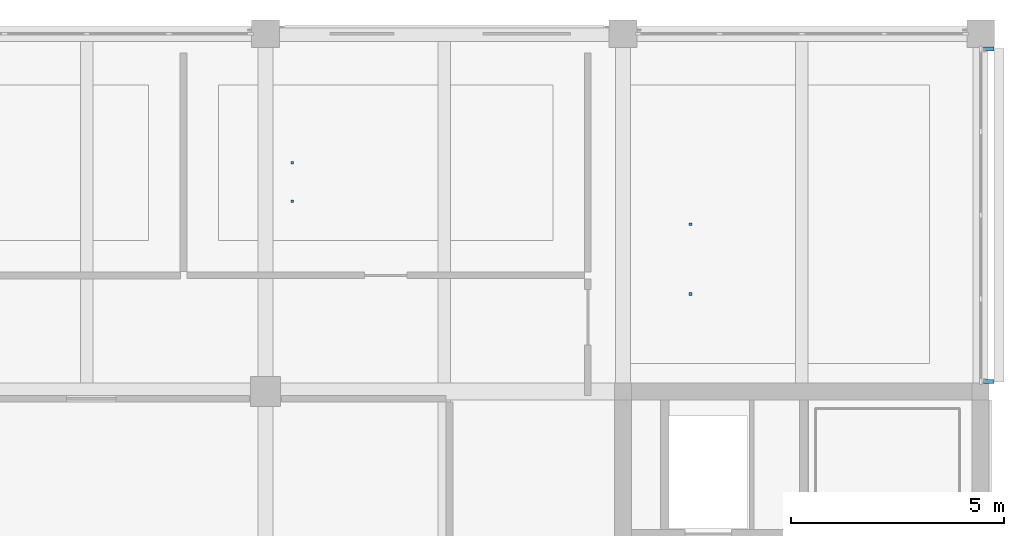
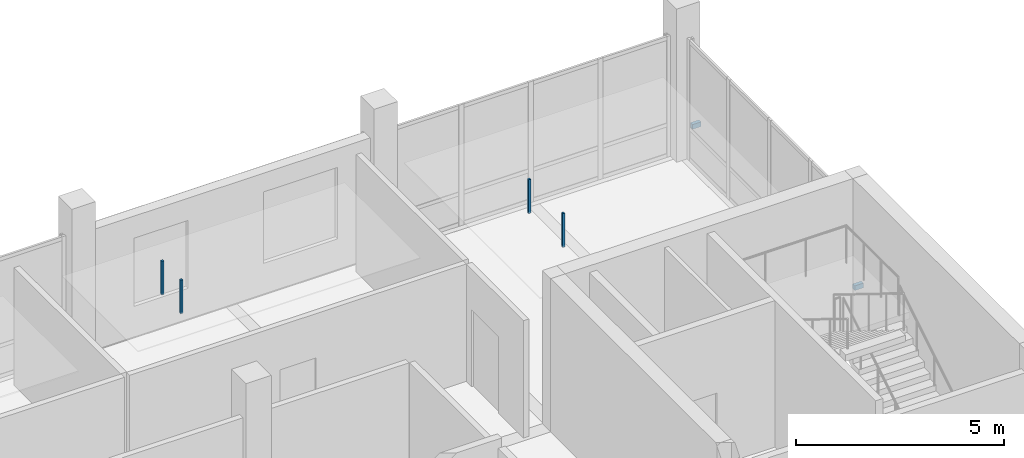
# One storey, part 15 of 28: 6 discrete accessories.
"""IFC4 building model written with IfcOpenShell, lengths in metres."""

import ifcopenshell
import ifcopenshell.guid

model = None  # the IFC model being written
_history = None  # IfcOwnerHistory: only IFC2X3 demands one
_inside = {}  # id of a spatial element -> (the spatial element, [elements in it])
_under = {}  # id of a project, library or spatial element -> (it, [spatial elements below it])
_declared = {}  # id of a project -> (the project, [libraries it declares])
_typed = {}  # id of a type object -> (the type object, [elements of that type])
_made_of = {}  # id of a material, layer set ... -> (it, [elements and type objects made of it])


def new_model(schema):
    """Start an empty IFC model of exactly this schema.

    Asked for "IFC4X3", IfcOpenShell would pick the latest addendum, in which some entities
    have other attributes; the version numbers below select the first issue.
    IFC2X3 requires an IfcOwnerHistory on every rooted entity: one is made here for all.
    """
    global model, _history
    if schema == "IFC4X3":
        model = ifcopenshell.file(schema_version=(4, 3, 0, 0))
    else:
        model = ifcopenshell.file(schema=schema)
    _inside.clear()
    _under.clear()
    _declared.clear()
    _typed.clear()
    _made_of.clear()
    _history = None
    if model.schema == "IFC2X3":
        org = make("IfcOrganization", Name="unknown")
        user = make(
            "IfcPersonAndOrganization",
            ThePerson=make("IfcPerson", FamilyName="unknown"),
            TheOrganization=org,
        )
        app = make(
            "IfcApplication",
            ApplicationDeveloper=org,
            Version="unknown",
            ApplicationFullName="unknown",
            ApplicationIdentifier="unknown",
        )
        _history = make(
            "IfcOwnerHistory",
            OwningUser=user,
            OwningApplication=app,
            ChangeAction="ADDED",
            CreationDate=0,
        )
    return model


def make(cls, **values):
    """One entity of the class cls with the attributes given. An attribute that is None is left unset."""
    return model.create_entity(
        cls, **{name: value for name, value in values.items() if value is not None}
    )


def rooted(cls, **values):
    """An entity with a GlobalId (a new one), such as an element, a storey or a relation."""
    return make(cls, GlobalId=ifcopenshell.guid.new(), OwnerHistory=_history, **values)


def si_unit(unit_type, name, prefix=None):
    """IfcSIUnit, for example si_unit("LENGTHUNIT", "METRE", prefix="MILLI")."""
    return make("IfcSIUnit", UnitType=unit_type, Prefix=prefix, Name=name)


def assignment(units):
    """IfcUnitAssignment: the units of a project."""
    return None if units is None else make("IfcUnitAssignment", Units=units)


def point(xyz):
    """IfcCartesianPoint."""
    return None if xyz is None else make("IfcCartesianPoint", Coordinates=xyz)


def direction(xyz):
    """IfcDirection."""
    return None if xyz is None else make("IfcDirection", DirectionRatios=xyz)


def frame(location, z_axis=None, x_axis=None):
    """IfcAxis2Placement3D, a coordinate frame: its origin and axes. An axis left out is left unset."""
    return make(
        "IfcAxis2Placement3D",
        Location=point(location),
        Axis=direction(z_axis),
        RefDirection=direction(x_axis),
    )


def frame_2d(location, x_axis=None):
    """IfcAxis2Placement2D, a coordinate frame in the plane: its origin and x axis."""
    return make(
        "IfcAxis2Placement2D", Location=point(location), RefDirection=direction(x_axis)
    )


def origin():
    """The frame at (0, 0, 0) with its axes left unset."""
    return frame((0.0, 0.0, 0.0))


def origin_2d():
    """The frame at (0, 0) in the plane with its x axis left unset."""
    return frame_2d((0.0, 0.0))


def place(relative_to, where):
    """IfcLocalPlacement: puts the frame where relative to a parent placement (None: the world)."""
    return make(
        "IfcLocalPlacement", PlacementRelTo=relative_to, RelativePlacement=where
    )


def context(
    kind, dimensions, precision=None, world=None, true_north=None, identifier=None
):
    """IfcGeometricRepresentationContext, for example the 3D "Model" context."""
    return make(
        "IfcGeometricRepresentationContext",
        ContextIdentifier=identifier,
        ContextType=kind,
        CoordinateSpaceDimension=dimensions,
        Precision=precision,
        WorldCoordinateSystem=world,
        TrueNorth=true_north,
    )


def subcontext(parent, identifier, kind, view, scale=None):
    """IfcGeometricRepresentationSubContext, for example "Body" below "Model"."""
    return make(
        "IfcGeometricRepresentationSubContext",
        ContextIdentifier=identifier,
        ContextType=kind,
        ParentContext=parent,
        TargetScale=scale,
        TargetView=view,
    )


def project(units=None, contexts=None):
    """IfcProject with its units and contexts."""
    return rooted(
        "IfcProject",
        Name="project",
        RepresentationContexts=contexts,
        UnitsInContext=assignment(units),
    )


def spatial(cls, under=None, at=None, **own):
    """A site, building, storey or space (cls), placed at a placement, below another one or the project."""
    s = rooted(cls, ObjectPlacement=at, **own)
    if under is not None:
        _under.setdefault(under.id(), (under, []))[1].append(s)
    return s


def profile(cls, at=None, kind="AREA", **sizes):
    """A parametric profile (cls). Its sizes go by their IFC names, for example OverallWidth=200.0."""
    return make(cls, ProfileType=kind, Position=at, **sizes)


def rectangle(**sizes):
    """IfcRectangleProfileDef."""
    return profile("IfcRectangleProfileDef", **sizes)


def extrude(swept, where, along, depth):
    """IfcExtrudedAreaSolid: the profile swept, set in the frame where, extruded along a direction by depth."""
    return make(
        "IfcExtrudedAreaSolid",
        SweptArea=swept,
        Position=where,
        ExtrudedDirection=direction(along),
        Depth=depth,
    )


def shape(context_of_items, identifier, shape_type, items):
    """IfcShapeRepresentation: the items that make up one representation, for example the "Body"."""
    return make(
        "IfcShapeRepresentation",
        ContextOfItems=context_of_items,
        RepresentationIdentifier=identifier,
        RepresentationType=shape_type,
        Items=items,
    )


def material(Name=None, Category=None):
    """IfcMaterial."""
    return make("IfcMaterial", Name=Name, Category=Category)


def made_of(thing, what):
    """Note that an element or type object is made of a material, layer set ...; save() writes the relation."""
    if what is not None:
        _made_of.setdefault(what.id(), (what, []))[1].append(thing)
    return thing


def type_object(cls, material=None, **own):
    """A type object (cls), such as IfcWallType, which elements share."""
    return made_of(rooted(cls, **own), material)


def element(
    cls,
    number,
    at=None,
    inside=None,
    cuts=None,
    type_object=None,
    material=None,
    context=None,
    identifier="Body",
    shape_type=None,
    held_by="IfcProductDefinitionShape",
    body=None,
    shapes=None,
    **own,
):
    """One element of the class cls, such as IfcWall. Its Tag is "e" and its number.

    at: its placement. inside: the storey or other place that contains it. cuts: it is an
    opening in that element (IfcRelVoidsElement). A single representation is given by context,
    identifier, shape_type and body (its items); several are given by shapes. held_by: the class
    of the entity that holds the representations. save() writes the other relations.
    """
    e = rooted(cls, Tag="e%d" % number, ObjectPlacement=at, **own)
    if body is not None:
        shapes = [shape(context, identifier, shape_type, body)]
    if shapes is not None:
        e.Representation = make(held_by, Representations=shapes)
    if inside is not None:
        _inside.setdefault(inside.id(), (inside, []))[1].append(e)
    if cuts is not None:
        rooted(
            "IfcRelVoidsElement", RelatingBuildingElement=cuts, RelatedOpeningElement=e
        )
    if type_object is not None:
        _typed.setdefault(type_object.id(), (type_object, []))[1].append(e)
    return made_of(e, material)


def aggregate(whole, parts):
    """IfcRelAggregates: a whole, such as a stair, and the parts it consists of."""
    return rooted("IfcRelAggregates", RelatingObject=whole, RelatedObjects=parts)


def save(model, path):
    """Write the relations noted so far, then the file.

    IfcRelAggregates (storeys below a building ...), IfcRelContainedInSpatialStructure (elements
    in a storey), IfcRelDefinesByType, IfcRelAssociatesMaterial and IfcRelDeclares: one each for
    every whole, place, type object, material and project.
    """
    for whole, parts in _under.values():
        aggregate(whole, parts)
    for where, things in _inside.values():
        rooted(
            "IfcRelContainedInSpatialStructure",
            RelatedElements=things,
            RelatingStructure=where,
        )
    for kind, things in _typed.values():
        rooted("IfcRelDefinesByType", RelatedObjects=things, RelatingType=kind)
    for what, things in _made_of.values():
        rooted("IfcRelAssociatesMaterial", RelatedObjects=things, RelatingMaterial=what)
    for by, libraries in _declared.values():
        rooted("IfcRelDeclares", RelatingContext=by, RelatedDefinitions=libraries)
    model.write(path)


model = new_model("IFC4")

# Units and contexts
model_context = context("Model", 3, precision=1e-05, world=origin(), true_north=direction((0.0, 1.0)))
body_context = subcontext(model_context, "Body", "Model", "MODEL_VIEW")
ifc_project = project(units=[si_unit("LENGTHUNIT", "METRE"), si_unit("AREAUNIT", "SQUARE_METRE"), si_unit("VOLUMEUNIT", "CUBIC_METRE"), si_unit("PLANEANGLEUNIT", "RADIAN"), si_unit("MASSUNIT", "GRAM", prefix="KILO")], contexts=[model_context])

# Site, building, storey
site_placement = place(None, origin())
site = spatial("IfcSite", under=ifc_project, at=site_placement, CompositionType="ELEMENT")
building_placement = place(site_placement, origin())
building = spatial("IfcBuilding", under=site, at=building_placement, Name="Telukmera Botanical Conservatory", CompositionType="ELEMENT")
storey_placement = place(building_placement, frame((0.0, 0.0, 51.0)))
storey = spatial("IfcBuildingStorey", under=building, at=storey_placement, Name="L11", CompositionType="ELEMENT", Elevation=51.0)

# Discrete accessories
ifc_material = material(Name="Steel S355", Category="steel")
discrete_accessory_type_1 = type_object("IfcDiscreteAccessoryType", Name="ACC-CEIL-HGR", PredefinedType="BRACKET", material=ifc_material)
for number, where, z_axis, x_axis, name in (
    (1, (84.626953125, 38.862548828125, 3.31982421875), (0.0, 0.0, 1.0), (1.0, 0.0, 0.0), "L11 Suspended Ceiling Hanger Rod 027-1"),
    (2, (84.626953125, 39.77490234375, 3.31982421875), (0.0, 0.0, 1.0), (1.0, 0.0, 0.0), "L11 Suspended Ceiling Hanger Rod 027-2"),
):
    element("IfcDiscreteAccessory", number, at=place(storey_placement, frame(where, z_axis=z_axis, x_axis=x_axis)), inside=storey, type_object=discrete_accessory_type_1, Name=name, PredefinedType="BRACKET", context=body_context, shape_type="SweptSolid", body=[
        extrude(rectangle(XDim=0.06005859375, YDim=0.06005859375, at=origin_2d()), origin(), (0.0, 0.0, 1.0), 0.985107421875),
    ])
for number, where, z_axis, x_axis, name in (
    (3, (93.98388671875, 36.6875, 3.31005859375), (0.0, 0.0, 1.0), (1.0, 0.0, 0.0), "L11 Suspended Ceiling Hanger Rod 028-1"),
    (4, (93.98388671875, 38.324951171875, 3.31005859375), (0.0, 0.0, 1.0), (1.0, 0.0, 0.0), "L11 Suspended Ceiling Hanger Rod 028-2"),
):
    element("IfcDiscreteAccessory", number, at=place(storey_placement, frame(where, z_axis=z_axis, x_axis=x_axis)), inside=storey, type_object=discrete_accessory_type_1, Name=name, PredefinedType="BRACKET", context=body_context, shape_type="SweptSolid", body=[
        extrude(rectangle(XDim=0.06005859375, YDim=0.06005859375, at=origin_2d()), origin(), (0.0, 0.0, 1.0), 0.9951171875),
    ])
discrete_accessory_type_2 = type_object("IfcDiscreteAccessoryType", Name="Structural Steel Facade Outrigger Fin Bracket", PredefinedType="BRACKET", material=ifc_material)
for number, where, z_axis, x_axis, name in (
    (5, (100.989990234375, 34.632080078125, 0.8798828125), (0.0, 0.0, 1.0), (0.0, 1.0, 0.0), "Facade Outrigger Bracket V4:L11:E4 A"),
    (6, (100.989990234375, 42.443115234375, 0.8798828125), (0.0, 0.0, 1.0), (0.0, 1.0, 0.0), "Facade Outrigger Bracket V4:L11:E4 B"),
):
    element("IfcDiscreteAccessory", number, at=place(storey_placement, frame(where, z_axis=z_axis, x_axis=x_axis)), inside=storey, type_object=discrete_accessory_type_2, Name=name, PredefinedType="BRACKET", context=body_context, shape_type="SweptSolid", body=[
        extrude(rectangle(XDim=0.10009765625, YDim=0.239990234375, at=origin_2d()), origin(), (0.0, 0.0, 1.0), 0.139892578125),
    ])

save(model, "model.ifc")
